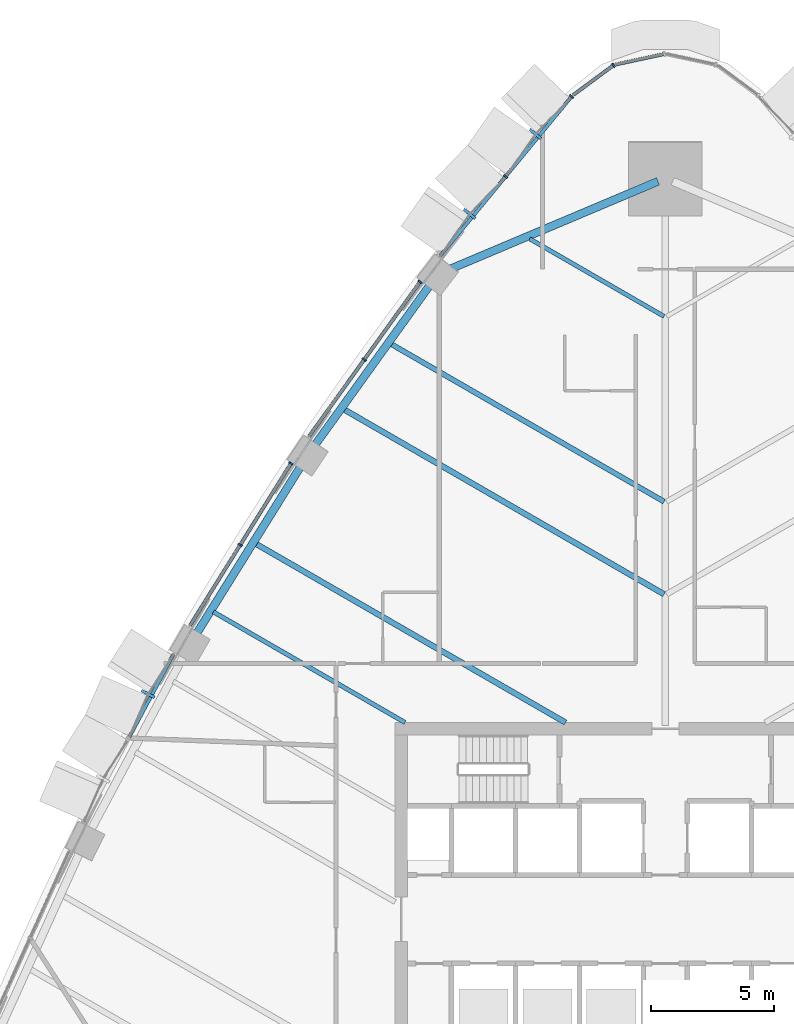
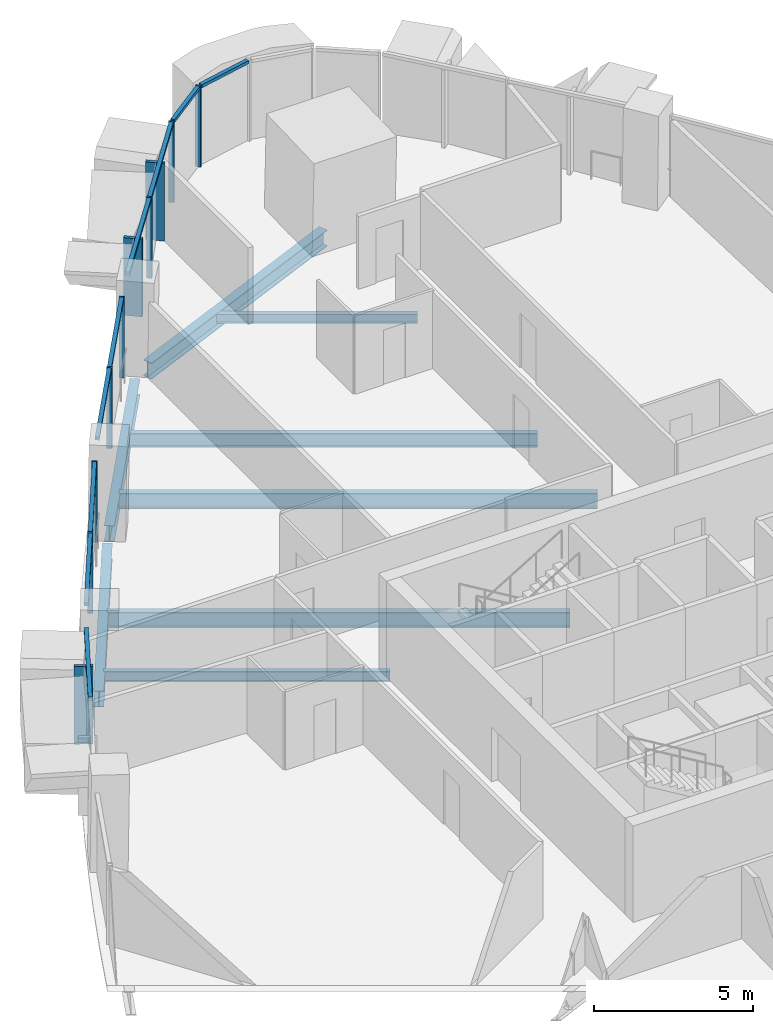
# One storey, part 6 of 18: 19 members, 8 beams, 6 elements without a shape of their own.
"""IFC4 building model written with IfcOpenShell, lengths in metres."""

from ifc_helpers import new_model, si_unit, direction, frame, origin, origin_2d, place, context, subcontext, project, spatial, rectangle, i_section, extrude, material, layer, layer_set, material_profile, profile_set, type_object, element, aggregate, save


model = new_model("IFC4")

# Units and contexts
model_context = context("Model", 3, precision=1e-05, world=origin(), true_north=direction((0.0, 1.0)))
body_context = subcontext(model_context, "Body", "Model", "MODEL_VIEW")
ifc_project = project(units=[si_unit("LENGTHUNIT", "METRE"), si_unit("AREAUNIT", "SQUARE_METRE"), si_unit("VOLUMEUNIT", "CUBIC_METRE"), si_unit("PLANEANGLEUNIT", "RADIAN"), si_unit("MASSUNIT", "GRAM", prefix="KILO")], contexts=[model_context])

# Site, building, storey
site_placement = place(None, origin())
site = spatial("IfcSite", under=ifc_project, at=site_placement, CompositionType="ELEMENT")
building_placement = place(site_placement, origin())
building = spatial("IfcBuilding", under=site, at=building_placement, Name="Sierra Prisma Convention Tower", CompositionType="ELEMENT")
storey_placement = place(building_placement, frame((0.0, 0.0, 85.0)))
storey = spatial("IfcBuildingStorey", under=building, at=storey_placement, Name="L17", CompositionType="ELEMENT", Elevation=85.0)

# Curtain wall, members
ifc_material_1 = material(Name="Aluminium and glass curtain wall", Category="aluminium")
ifc_layer_1 = layer(ifc_material_1, 0.179931640625)
ifc_layer_set_1 = layer_set([ifc_layer_1], Name="CW-2 Faceted crystal curtain wall")
curtain_wall_type_1 = type_object("IfcCurtainWallType", Name="CW-2 Faceted crystal curtain wall", PredefinedType="NOTDEFINED", material=ifc_layer_set_1)
curtain_wall_1_placement = place(storey_placement, origin())
curtain_wall_1 = element("IfcCurtainWall", 1, at=curtain_wall_1_placement, inside=storey, type_object=curtain_wall_type_1, Name="CW-2 NW1 L17", PredefinedType="NOTDEFINED")
ifc_material_2 = material(Name="Aluminium 6063-T6 bronze anodised", Category="aluminium")
ifc_material_profile_1 = material_profile(ifc_material_2, rectangle(XDim=0.1201171875, YDim=0.60009765625, at=origin_2d()), Name="ALU RIDGE BLADE 120x600")
ifc_profile_set_1 = profile_set([ifc_material_profile_1], Name="Aluminium 6063-T6 bronze anodised")
member_type_1 = type_object("IfcMemberType", Name="CW hip bronze", PredefinedType="MULLION", material=ifc_profile_set_1)
member_1_placement = place(storey_placement, frame((-5.286376953125, 31.951171875, 0.0), z_axis=(0.0, 0.0, 1.0), x_axis=(-0.636157701019, -0.771559057645, 0.0)))
member_1 = element("IfcMember", 2, at=member_1_placement, type_object=member_type_1, Name="CW-2 ridge NW1.1", PredefinedType="MULLION", context=body_context, shape_type="SweptSolid", body=[
    extrude(rectangle(XDim=0.1201171875, YDim=0.60009765625, at=origin_2d()), origin(), (0.0, 0.0, 1.0), 2.97998046875),
])
member_2_placement = place(storey_placement, frame((-7.966552734375, 28.70068359375, 0.0), z_axis=(0.0, 0.0, 1.0), x_axis=(-0.636157701019, -0.771559057645, 0.0)))
member_2 = element("IfcMember", 3, at=member_2_placement, type_object=member_type_1, Name="CW-2 ridge NW1.2", PredefinedType="MULLION", context=body_context, shape_type="SweptSolid", body=[
    extrude(rectangle(XDim=0.1201171875, YDim=0.60009765625, at=origin_2d()), origin(), (0.0, 0.0, 1.0), 2.97998046875),
])

# Curtain wall, member
curtain_wall_2_placement = place(storey_placement, origin())
curtain_wall_2 = element("IfcCurtainWall", 4, at=curtain_wall_2_placement, inside=storey, type_object=curtain_wall_type_1, Name="CW-2 NW4 L17", PredefinedType="NOTDEFINED")
member_3_placement = place(storey_placement, frame((-21.0517578125, 9.16162109375, 0.0), z_axis=(0.0, 0.0, 1.0), x_axis=(-0.470993707752, -0.882136569505, 0.0)))
member_3 = element("IfcMember", 5, at=member_3_placement, type_object=member_type_1, Name="CW-2 ridge NW4.1", PredefinedType="MULLION", context=body_context, shape_type="SweptSolid", body=[
    extrude(rectangle(XDim=0.1201171875, YDim=0.60009765625, at=origin_2d()), origin(), (0.0, 0.0, 1.0), 2.97998046875),
])

ifc_material_3 = material(Name="Aluminium and glass curtain wall", Category="aluminium")
ifc_layer_2 = layer(ifc_material_3, 0.179931640625)
ifc_layer_set_2 = layer_set([ifc_layer_2], Name="CW-1 Plain shaft curtain wall")
curtain_wall_type_2 = type_object("IfcCurtainWallType", Name="CW-1 Plain shaft curtain wall", PredefinedType="NOTDEFINED", material=ifc_layer_set_2)
curtain_wall_3_placement = place(storey_placement, origin())
curtain_wall_3 = element("IfcCurtainWall", 6, at=curtain_wall_3_placement, inside=storey, type_object=curtain_wall_type_2, Name="CW-1 N4 L17", PredefinedType="NOTDEFINED")
ifc_material_4 = material(Name="Aluminium 6063-T6 bronze anodised", Category="aluminium")
ifc_material_profile_2 = material_profile(ifc_material_4, rectangle(XDim=0.179931640625, YDim=0.070068359375, at=origin_2d()), Name="ALU MULLION 70x180")
ifc_profile_set_2 = profile_set([ifc_material_profile_2], Name="Aluminium 6063-T6 bronze anodised")
member_type_2 = type_object("IfcMemberType", Name="CW mullion bronze", PredefinedType="MULLION", material=ifc_profile_set_2)
member_4_placement = place(storey_placement, frame((-2.11181640625, 34.7451171875, 0.0), z_axis=(0.0, 0.0, 1.0), x_axis=(0.594046488365, -0.804430711536, 0.0)))
member_4 = element("IfcMember", 7, at=member_4_placement, type_object=member_type_2, Name="CW-1 mullion N4.1", PredefinedType="MULLION", context=body_context, shape_type="SweptSolid", body=[
    extrude(rectangle(XDim=0.179931640625, YDim=0.070068359375, at=origin_2d()), origin(), (0.0, 0.0, 1.0), 3.10009765625),
])

# Member
member_5_placement = place(storey_placement, frame((-3.820556640625, 33.47265625, 0.0), z_axis=(0.0, 0.0, 1.0), x_axis=(0.771559057645, -0.636157701019, 0.0)))
member_5 = element("IfcMember", 8, at=member_5_placement, type_object=member_type_2, Name="CW-1 mullion NW1.1", PredefinedType="MULLION", context=body_context, shape_type="SweptSolid", body=[
    extrude(rectangle(XDim=0.179931640625, YDim=0.070068359375, at=origin_2d()), origin(), (0.0, 0.0, 1.0), 3.10009765625),
])

member_6_placement = place(storey_placement, frame((-6.500732421875, 30.22216796875, 0.0), z_axis=(0.0, 0.0, 1.0), x_axis=(0.771559057645, -0.636157701019, 0.0)))
member_6 = element("IfcMember", 9, at=member_6_placement, type_object=member_type_2, Name="CW-1 mullion NW1.2", PredefinedType="MULLION", context=body_context, shape_type="SweptSolid", body=[
    extrude(rectangle(XDim=0.179931640625, YDim=0.070068359375, at=origin_2d()), origin(), (0.0, 0.0, 1.0), 3.10009765625),
])

# Curtain wall, members
curtain_wall_4_placement = place(storey_placement, origin())
curtain_wall_4 = element("IfcCurtainWall", 10, at=curtain_wall_4_placement, inside=storey, type_object=curtain_wall_type_2, Name="CW-1 NW2 L17", PredefinedType="NOTDEFINED")
member_7_placement = place(storey_placement, frame((-9.981689453125, 25.92919921875, 0.0), z_axis=(0.0, 0.0, 1.0), x_axis=(0.81204745942, -0.583591401281, 0.0)))
member_7 = element("IfcMember", 11, at=member_7_placement, type_object=member_type_2, Name="CW-1 mullion NW2.1", PredefinedType="MULLION", context=body_context, shape_type="SweptSolid", body=[
    extrude(rectangle(XDim=0.179931640625, YDim=0.070068359375, at=origin_2d()), origin(), (0.0, 0.0, 1.0), 3.10009765625),
])
member_8_placement = place(storey_placement, frame((-12.251953125, 22.770263671875, 0.0), z_axis=(0.0, 0.0, 1.0), x_axis=(0.81204745942, -0.583591401281, 0.0)))
member_8 = element("IfcMember", 12, at=member_8_placement, type_object=member_type_2, Name="CW-1 mullion NW2.2", PredefinedType="MULLION", context=body_context, shape_type="SweptSolid", body=[
    extrude(rectangle(XDim=0.179931640625, YDim=0.070068359375, at=origin_2d()), origin(), (0.0, 0.0, 1.0), 3.10009765625),
])

curtain_wall_5_placement = place(storey_placement, origin())
curtain_wall_5 = element("IfcCurtainWall", 13, at=curtain_wall_5_placement, inside=storey, type_object=curtain_wall_type_2, Name="CW-1 NW3 L17", PredefinedType="NOTDEFINED")
member_9_placement = place(storey_placement, frame((-15.2353515625, 18.54541015625, 0.0), z_axis=(0.0, 0.0, 1.0), x_axis=(0.848960800688, -0.528455824923, 0.0)))
member_9 = element("IfcMember", 14, at=member_9_placement, type_object=member_type_2, Name="CW-1 mullion NW3.1", PredefinedType="MULLION", context=body_context, shape_type="SweptSolid", body=[
    extrude(rectangle(XDim=0.179931640625, YDim=0.070068359375, at=origin_2d()), origin(), (0.0, 0.0, 1.0), 3.10009765625),
])
member_10_placement = place(storey_placement, frame((-17.299560546875, 15.22900390625, 0.0), z_axis=(0.0, 0.0, 1.0), x_axis=(0.848960800688, -0.528455824923, 0.0)))
member_10 = element("IfcMember", 15, at=member_10_placement, type_object=member_type_2, Name="CW-1 mullion NW3.2", PredefinedType="MULLION", context=body_context, shape_type="SweptSolid", body=[
    extrude(rectangle(XDim=0.179931640625, YDim=0.070068359375, at=origin_2d()), origin(), (0.0, 0.0, 1.0), 3.10009765625),
])

# Curtain wall, member
curtain_wall_6_placement = place(storey_placement, origin())
curtain_wall_6 = element("IfcCurtainWall", 16, at=curtain_wall_6_placement, inside=storey, type_object=curtain_wall_type_2, Name="CW-1 N3 L17", PredefinedType="NOTDEFINED")
ifc_material_5 = material(Name="Aluminium 6063-T6 bronze anodised", Category="aluminium")
ifc_material_profile_3 = material_profile(ifc_material_5, rectangle(XDim=0.139892578125, YDim=0.1201171875, at=origin_2d()), Name="ALU TRANSOM 120x140")
ifc_profile_set_3 = profile_set([ifc_material_profile_3], Name="Aluminium 6063-T6 bronze anodised")
member_type_3 = type_object("IfcMemberType", Name="CW transom bronze", PredefinedType="USERDEFINED", material=ifc_profile_set_3)
member_11_placement = place(storey_placement, frame((-0.068359375, 35.19970703125, 3.0400390625), z_axis=(-0.977599246092, -0.210474972481, 0.0), x_axis=(0.210474972481, -0.977599246092, 0.0)))
member_11 = element("IfcMember", 17, at=member_11_placement, type_object=member_type_3, Name="CW-1 transom N3.1", ObjectType="TRANSOM", PredefinedType="USERDEFINED", context=body_context, shape_type="SweptSolid", body=[
    extrude(rectangle(XDim=0.139892578125, YDim=0.1201171875, at=origin_2d()), origin(), (0.0, 0.0, 1.0), 1.99169921875),
])
aggregate(curtain_wall_6, [member_11])

# Member
member_12_placement = place(storey_placement, frame((-2.14013671875, 34.72412109375, 3.0400390625), z_axis=(-0.804435971142, -0.594039365979, 0.0), x_axis=(0.594039365979, -0.804435971142, 0.0)))
member_12 = element("IfcMember", 18, at=member_12_placement, type_object=member_type_3, Name="CW-1 transom N4.1", ObjectType="TRANSOM", PredefinedType="USERDEFINED", context=body_context, shape_type="SweptSolid", body=[
    extrude(rectangle(XDim=0.139892578125, YDim=0.1201171875, at=origin_2d()), origin(), (0.0, 0.0, 1.0), 1.9912109375),
])

aggregate(curtain_wall_3, [member_4, member_12])

member_13_placement = place(storey_placement, frame((-3.8427734375, 33.445556640625, 3.0400390625), z_axis=(-0.636182198153, -0.771538858875, 0.0), x_axis=(0.771538858875, -0.636182198153, 0.0)))
member_13 = element("IfcMember", 19, at=member_13_placement, type_object=member_type_3, Name="CW-1 transom NW1.1", ObjectType="TRANSOM", PredefinedType="USERDEFINED", context=body_context, shape_type="SweptSolid", body=[
    extrude(rectangle(XDim=0.139892578125, YDim=0.1201171875, at=origin_2d()), origin(), (0.0, 0.0, 1.0), 4.14306640625),
])

member_14_placement = place(storey_placement, frame((-6.52294921875, 30.195068359375, 3.0400390625), z_axis=(-0.636147118227, -0.771567783135, 0.0), x_axis=(0.771567783135, -0.636147118227, 0.0)))
member_14 = element("IfcMember", 20, at=member_14_placement, type_object=member_type_3, Name="CW-1 transom NW1.2", ObjectType="TRANSOM", PredefinedType="USERDEFINED", context=body_context, shape_type="SweptSolid", body=[
    extrude(rectangle(XDim=0.139892578125, YDim=0.1201171875, at=origin_2d()), origin(), (0.0, 0.0, 1.0), 4.142822265625),
])

aggregate(curtain_wall_1, [member_5, member_6, member_13, member_1, member_14, member_2])

member_15_placement = place(storey_placement, frame((-10.002197265625, 25.90087890625, 3.0400390625), z_axis=(-0.583587325653, -0.812050388422, 0.0), x_axis=(0.812050388422, -0.583587325653, 0.0)))
member_15 = element("IfcMember", 21, at=member_15_placement, type_object=member_type_3, Name="CW-1 transom NW2.1", ObjectType="TRANSOM", PredefinedType="USERDEFINED", context=body_context, shape_type="SweptSolid", body=[
    extrude(rectangle(XDim=0.139892578125, YDim=0.1201171875, at=origin_2d()), origin(), (0.0, 0.0, 1.0), 3.8203125),
])

member_16_placement = place(storey_placement, frame((-12.2724609375, 22.74169921875, 3.0400390625), z_axis=(-0.583617611903, -0.81202862208, 0.0), x_axis=(0.81202862208, -0.583617611903, 0.0)))
member_16 = element("IfcMember", 22, at=member_16_placement, type_object=member_type_3, Name="CW-1 transom NW2.2", ObjectType="TRANSOM", PredefinedType="USERDEFINED", context=body_context, shape_type="SweptSolid", body=[
    extrude(rectangle(XDim=0.139892578125, YDim=0.1201171875, at=origin_2d()), origin(), (0.0, 0.0, 1.0), 3.820068359375),
])

aggregate(curtain_wall_4, [member_7, member_8, member_15, member_16])

member_17_placement = place(storey_placement, frame((-15.25390625, 18.515625, 3.0400390625), z_axis=(-0.528464997956, -0.848955090647, 0.0), x_axis=(0.848955090647, -0.528464997956, 0.0)))
member_17 = element("IfcMember", 23, at=member_17_placement, type_object=member_type_3, Name="CW-1 transom NW3.1", ObjectType="TRANSOM", PredefinedType="USERDEFINED", context=body_context, shape_type="SweptSolid", body=[
    extrude(rectangle(XDim=0.139892578125, YDim=0.1201171875, at=origin_2d()), origin(), (0.0, 0.0, 1.0), 3.836181640625),
])

member_18_placement = place(storey_placement, frame((-17.318115234375, 15.199462890625, 3.0400390625), z_axis=(-0.52843644764, -0.848972862231, 0.0), x_axis=(0.848972862231, -0.52843644764, 0.0)))
member_18 = element("IfcMember", 24, at=member_18_placement, type_object=member_type_3, Name="CW-1 transom NW3.2", ObjectType="TRANSOM", PredefinedType="USERDEFINED", context=body_context, shape_type="SweptSolid", body=[
    extrude(rectangle(XDim=0.139892578125, YDim=0.1201171875, at=origin_2d()), origin(), (0.0, 0.0, 1.0), 3.83642578125),
])

aggregate(curtain_wall_5, [member_9, member_10, member_17, member_18])

member_19_placement = place(storey_placement, frame((-20.01513671875, 10.782470703125, 3.0400390625), z_axis=(-0.470981243839, -0.882143224172, 0.0), x_axis=(0.882143224172, -0.470981243839, 0.0)))
member_19 = element("IfcMember", 25, at=member_19_placement, type_object=member_type_3, Name="CW-1 transom NW4.1", ObjectType="TRANSOM", PredefinedType="USERDEFINED", context=body_context, shape_type="SweptSolid", body=[
    extrude(rectangle(XDim=0.139892578125, YDim=0.1201171875, at=origin_2d()), origin(), (0.0, 0.0, 1.0), 3.83642578125),
])

aggregate(curtain_wall_2, [member_19, member_3])

# Beams
ifc_material_6 = material(Name="Steel ASTM A992 Gr 50", Category="steel")
ifc_material_profile_4 = material_profile(ifc_material_6, i_section(OverallWidth=0.172119140625, OverallDepth=0.35791015625, WebThickness=0.0078125, FlangeThickness=0.01318359375, at=origin_2d()), Name="W360x57")
ifc_profile_set_4 = profile_set([ifc_material_profile_4], Name="Steel ASTM A992 Gr 50")
beam_type_1 = type_object("IfcBeamType", Name="Floor joist W360x57", PredefinedType="JOIST", material=ifc_profile_set_4)
beam_1_placement = place(storey_placement, frame((-5.522705078125, 27.685546875, -0.3291015625), z_axis=(0.866024657783, -0.50000129211, 0.0), x_axis=(0.50000129211, 0.866024657783, 0.0)))
element("IfcBeam", 26, at=beam_1_placement, inside=storey, type_object=beam_type_1, Name="Floor joist L17 NW02", PredefinedType="JOIST", context=body_context, shape_type="SweptSolid", body=[
    extrude(i_section(OverallWidth=0.172119140625, OverallDepth=0.35791015625, WebThickness=0.0078125, FlangeThickness=0.01318359375, at=origin_2d()), origin(), (0.0, 0.0, 1.0), 6.31591796875),
])
ifc_material_7 = material(Name="Steel ASTM A992 Gr 50", Category="steel")
ifc_material_profile_5 = material_profile(ifc_material_7, i_section(OverallWidth=0.177978515625, OverallDepth=0.406982421875, WebThickness=0.0078125, FlangeThickness=0.0126953125, at=origin_2d()), Name="W410x60")
ifc_profile_set_5 = profile_set([ifc_material_profile_5], Name="Steel ASTM A992 Gr 50")
beam_type_2 = type_object("IfcBeamType", Name="Floor joist W410x60", PredefinedType="JOIST", material=ifc_profile_set_5)
beam_2_placement = place(storey_placement, frame((-18.392822265625, 12.50341796875, -0.353515625), z_axis=(0.866029407303, -0.499993065638, 0.0), x_axis=(0.499993065638, 0.866029407303, 0.0)))
element("IfcBeam", 27, at=beam_2_placement, inside=storey, type_object=beam_type_2, Name="Floor joist L17 NW08", PredefinedType="JOIST", context=body_context, shape_type="SweptSolid", body=[
    extrude(i_section(OverallWidth=0.177978515625, OverallDepth=0.406982421875, WebThickness=0.0078125, FlangeThickness=0.0126953125, at=origin_2d()), origin(), (0.0, 0.0, 1.0), 9.007080078125),
])
ifc_material_8 = material(Name="Steel ASTM A992 Gr 50", Category="steel")
ifc_material_profile_6 = material_profile(ifc_material_8, i_section(OverallWidth=0.208984375, OverallDepth=0.532958984375, WebThickness=0.01025390625, FlangeThickness=0.015625, at=origin_2d()), Name="W530x92")
ifc_profile_set_6 = profile_set([ifc_material_profile_6], Name="Steel ASTM A992 Gr 50")
beam_type_3 = type_object("IfcBeamType", Name="Floor joist W530x92", PredefinedType="JOIST", material=ifc_profile_set_6)
beam_3_placement = place(storey_placement, frame((-11.16455078125, 23.4052734375, -0.41650390625), z_axis=(0.866024932504, -0.500000816281, 0.0), x_axis=(0.500000816281, 0.866024932504, 0.0)))
element("IfcBeam", 28, at=beam_3_placement, inside=storey, type_object=beam_type_3, Name="Floor joist L17 NW04", PredefinedType="JOIST", context=body_context, shape_type="SweptSolid", body=[
    extrude(i_section(OverallWidth=0.208984375, OverallDepth=0.532958984375, WebThickness=0.01025390625, FlangeThickness=0.015625, at=origin_2d()), origin(), (0.0, 0.0, 1.0), 12.83056640625),
])
ifc_material_9 = material(Name="Steel ASTM A992 Gr 50", Category="steel")
ifc_material_profile_7 = material_profile(ifc_material_9, i_section(OverallWidth=0.22802734375, OverallDepth=0.60302734375, WebThickness=0.010498046875, FlangeThickness=0.014892578125, at=origin_2d()), Name="W610x101")
ifc_profile_set_7 = profile_set([ifc_material_profile_7], Name="Steel ASTM A992 Gr 50")
beam_type_4 = type_object("IfcBeamType", Name="Floor joist W610x101", PredefinedType="JOIST", material=ifc_profile_set_7)
beam_4_placement = place(storey_placement, frame((-13.07861328125, 20.74169921875, -0.451416015625), z_axis=(0.866020968072, -0.500007682801, 0.0), x_axis=(0.500007682801, 0.866020968072, 0.0)))
element("IfcBeam", 29, at=beam_4_placement, inside=storey, type_object=beam_type_4, Name="Floor joist L17 NW05", PredefinedType="JOIST", context=body_context, shape_type="SweptSolid", body=[
    extrude(i_section(OverallWidth=0.22802734375, OverallDepth=0.60302734375, WebThickness=0.010498046875, FlangeThickness=0.014892578125, at=origin_2d()), origin(), (0.0, 0.0, 1.0), 15.040771484375),
])
beam_5_placement = place(storey_placement, frame((-16.6669921875, 15.27587890625, -0.451416015625), z_axis=(0.866022978719, -0.500004200313, 0.0), x_axis=(0.500004200313, 0.866022978719, 0.0)))
element("IfcBeam", 30, at=beam_5_placement, inside=storey, type_object=beam_type_4, Name="Floor joist L17 NW07", PredefinedType="JOIST", context=body_context, shape_type="SweptSolid", body=[
    extrude(i_section(OverallWidth=0.22802734375, OverallDepth=0.60302734375, WebThickness=0.010498046875, FlangeThickness=0.014892578125, at=origin_2d()), origin(), (0.0, 0.0, 1.0), 14.551513671875),
])
ifc_material_10 = material(Name="Steel ASTM A992 Gr 50", Category="steel")
ifc_material_profile_8 = material_profile(ifc_material_10, i_section(OverallWidth=0.324951171875, OverallDepth=0.615966796875, WebThickness=0.013916015625, FlangeThickness=0.021484375, at=origin_2d()), Name="W610x174")
ifc_profile_set_8 = profile_set([ifc_material_profile_8], Name="Steel ASTM A992 Gr 50")
beam_type_5 = type_object("IfcBeamType", Name="Spandrel beam W610x174", PredefinedType="BEAM", material=ifc_profile_set_8)
beam_6_placement = place(storey_placement, frame((-0.300048828125, 30.0234375, -0.4580078125), z_axis=(-0.921265894737, -0.388933350581, 0.0), x_axis=(0.388933350581, -0.921265894737, 0.0)))
element("IfcBeam", 31, at=beam_6_placement, inside=storey, type_object=beam_type_5, Name="Spandrel L17-13", PredefinedType="BEAM", context=body_context, shape_type="SweptSolid", body=[
    extrude(i_section(OverallWidth=0.324951171875, OverallDepth=0.615966796875, WebThickness=0.013916015625, FlangeThickness=0.021484375, at=origin_2d()), origin(), (0.0, 0.0, 1.0), 9.164794921875),
])
for number, where, z_axis, x_axis, name in (
    (32, (-9.548095703125, 25.84765625, -0.4580078125), (-0.58358827719, -0.812049704591, 0.0), (0.812049704591, -0.58358827719, 0.0), "Spandrel L17-14"),
    (33, (-14.814453125, 18.46533203125, -0.4580078125), (-0.52843645252, -0.848972859194, 0.0), (0.848972859194, -0.52843645252, 0.0), "Spandrel L17-15"),
):
    element("IfcBeam", number, at=place(storey_placement, frame(where, z_axis=z_axis, x_axis=x_axis)), inside=storey, type_object=beam_type_5, Name=name, PredefinedType="BEAM", context=body_context, shape_type="SweptSolid", body=[
        extrude(i_section(OverallWidth=0.324951171875, OverallDepth=0.615966796875, WebThickness=0.013916015625, FlangeThickness=0.021484375, at=origin_2d()), origin(), (0.0, 0.0, 1.0), 8.108642578125),
    ])

save(model, "model.ifc")
